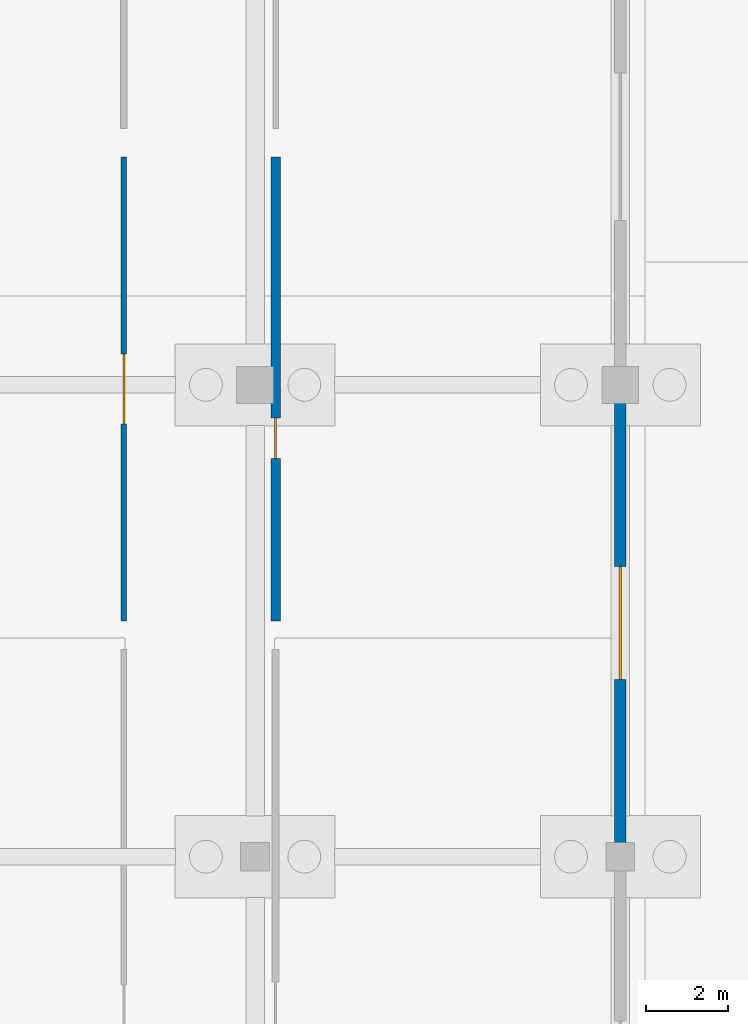
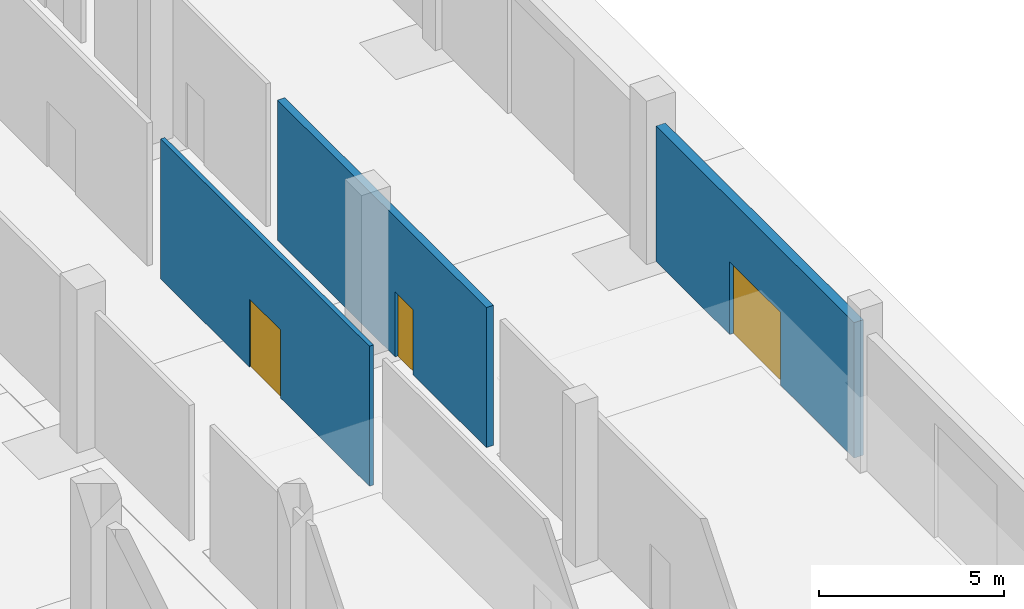
# One storey, part 36 of 68: 3 doors, 3 walls, 3 openings.
"""IFC4 building model written with IfcOpenShell, lengths in metres."""

from ifc_helpers import new_model, si_unit, direction, frame, frame_2d, origin, place, context, subcontext, project, spatial, rectangle, extrude, material, layer, layer_set, type_object, element, fill, save


model = new_model("IFC4")

# Units and contexts
model_context = context("Model", 3, precision=1e-05, world=origin(), true_north=direction((0.0, 1.0)))
body_context = subcontext(model_context, "Body", "Model", "MODEL_VIEW")
ifc_project = project(units=[si_unit("LENGTHUNIT", "METRE"), si_unit("AREAUNIT", "SQUARE_METRE"), si_unit("VOLUMEUNIT", "CUBIC_METRE"), si_unit("PLANEANGLEUNIT", "RADIAN"), si_unit("MASSUNIT", "GRAM", prefix="KILO")], contexts=[model_context])

# Site, building, storey
site_placement = place(None, origin())
site = spatial("IfcSite", under=ifc_project, at=site_placement, CompositionType="ELEMENT")
building_placement = place(site_placement, origin())
building = spatial("IfcBuilding", under=site, at=building_placement, Name="Candeia Ridge Stadium", CompositionType="ELEMENT")
storey_placement = place(building_placement, origin())
storey = spatial("IfcBuildingStorey", under=building, at=storey_placement, Name="L00", CompositionType="ELEMENT", Elevation=0.0)

# Wall, opening, door
ifc_material_1 = material(Name="Moisture-Resistant Masonry & Tile", Category="masonry")
ifc_layer_1 = layer(ifc_material_1, 0.22998046875, Name="Moisture-Resistant Masonry & Tile", Category="masonry")
ifc_layer_set_1 = layer_set([ifc_layer_1], Name="Moisture-Resistant Masonry & Tile")
wall_type_1 = type_object("IfcWallType", Name="Dressing Suite Wet-Wall Chase 230", PredefinedType="PLUMBINGWALL", material=ifc_layer_set_1)
wall_1_placement = place(storey_placement, frame((203.0, 117.75, 0.0), z_axis=(0.0, 0.0, 1.0), x_axis=(0.0, 1.0, 0.0)))
wall_1 = element("IfcWall", 1, at=wall_1_placement, inside=storey, type_object=wall_type_1, Name="Interior partition PT-L00-0040", PredefinedType="PLUMBINGWALL", context=body_context, shape_type="SweptSolid", body=[
    extrude(rectangle(XDim=11.300048828125, YDim=0.22998046875, at=frame_2d((5.64990234375, 0.0))), origin(), (0.0, 0.0, 1.0), 4.625),
])
opening_1_placement = place(wall_1_placement, frame((3.9599609375, 0.0, 0.0)))
opening_1 = element("IfcOpeningElement", 2, at=opening_1_placement, cuts=wall_1, Name="Opening ID12", PredefinedType="OPENING", context=body_context, shape_type="SweptSolid", body=[
    extrude(rectangle(XDim=0.97998046875, YDim=2.14990234375, at=frame_2d((0.489990234375, 1.074951171875))), frame((0.0, 0.125, 0.0), z_axis=(0.0, -1.0, 0.0), x_axis=(1.0, 0.0, 0.0)), (0.0, 0.0, 1.0), 0.25),
])
ifc_material_2 = material(Name="Acoustic Timber Studio Leaf", Category="wood")
door_type_1 = type_object("IfcDoorType", Name="Commentary Booth Acoustic Door 980x2150", OperationType="NOTDEFINED", PredefinedType="DOOR", material=ifc_material_2)
door_1_placement = place(opening_1_placement, origin())
door_1 = element("IfcDoor", 3, at=door_1_placement, inside=storey, type_object=door_type_1, Name="Interior room door D-L00-0022", OperationType="SINGLE_SWING_LEFT", OverallHeight=2.14990234375, OverallWidth=0.97998046875, PredefinedType="DOOR", context=body_context, shape_type="SweptSolid", body=[
    extrude(rectangle(XDim=0.97998046875, YDim=2.14990234375, at=frame_2d((0.489990234375, 1.074951171875))), frame((0.0, 0.02490234375, 0.0), z_axis=(0.0, -1.0, 0.0), x_axis=(1.0, 0.0, 0.0)), (0.0, 0.0, 1.0), 0.050048828125),
])
fill(opening_1, door_1)

ifc_material_3 = material(Name="Concrete C35/45", Category="concrete")
ifc_layer_2 = layer(ifc_material_3, 0.2900390625, Name="Concrete C35/45", Category="concrete")
ifc_layer_set_2 = layer_set([ifc_layer_2], Name="Concrete C35/45")
wall_type_2 = type_object("IfcWallType", Name="Exterior Service & Plant Wall 290", PredefinedType="SOLIDWALL", material=ifc_layer_set_2)
wall_2_placement = place(storey_placement, frame((211.39990234375, 112.337890625, 0.0), z_axis=(0.0, 0.0, 1.0), x_axis=(0.0, 1.0, 0.0)))
wall_2 = element("IfcWall", 4, at=wall_2_placement, inside=storey, type_object=wall_type_2, Name="Exterior facade wall EW-L00-0127", PredefinedType="SOLIDWALL", context=body_context, shape_type="SweptSolid", body=[
    extrude(rectangle(XDim=10.72412109375, YDim=0.2900390625, at=frame_2d((5.362060546875, 0.0))), origin(), (0.0, 0.0, 1.0), 4.47509765625),
])
opening_2_placement = place(wall_2_placement, frame((3.987060546875, 0.0, 0.0)))
opening_2 = element("IfcOpeningElement", 5, at=opening_2_placement, cuts=wall_2, Name="Opening ED01", PredefinedType="OPENING", context=body_context, shape_type="SweptSolid", body=[
    extrude(rectangle(XDim=2.75, YDim=2.39990234375, at=frame_2d((1.375, 1.199951171875))), frame((0.0, 0.155029296875, 0.0), z_axis=(0.0, -1.0, 0.0), x_axis=(1.0, 0.0, 0.0)), (0.0, 0.0, 1.0), 0.31005859375),
])
ifc_material_4 = material(Name="Aluminium Anodized Glazed Door", Category="aluminium")
door_type_2 = type_object("IfcDoorType", Name="Pedestrian Exit Double Door 2750x2400", OperationType="NOTDEFINED", PredefinedType="DOOR", material=ifc_material_4)
door_2_placement = place(opening_2_placement, frame((2.75, 0.0, 0.0), z_axis=(0.0, 0.0, 1.0), x_axis=(-1.0, 0.0, 0.0)))
door_2 = element("IfcDoor", 6, at=door_2_placement, inside=storey, type_object=door_type_2, Name="Pedestrian exit gate G13", OperationType="DOUBLE_DOOR_SINGLE_SWING", OverallHeight=2.39990234375, OverallWidth=2.75, PredefinedType="DOOR", context=body_context, shape_type="SweptSolid", body=[
    extrude(rectangle(XDim=2.75, YDim=2.39990234375, at=frame_2d((1.375, 1.199951171875))), frame((0.0, 0.02490234375, 0.0), z_axis=(0.0, -1.0, 0.0), x_axis=(1.0, 0.0, 0.0)), (0.0, 0.0, 1.0), 0.050048828125),
])
fill(opening_2, door_2)

ifc_material_5 = material(Name="Gypsum Metal-Stud Partition", Category="gypsum")
ifc_layer_3 = layer(ifc_material_5, 0.135009765625, Name="Gypsum Metal-Stud Partition", Category="gypsum")
ifc_layer_set_3 = layer_set([ifc_layer_3], Name="Gypsum Metal-Stud Partition")
wall_type_3 = type_object("IfcWallType", Name="General Room Partition 135", PredefinedType="PARTITIONING", material=ifc_layer_set_3)
wall_3_placement = place(storey_placement, frame((199.300048828125, 129.050048828125, 0.0), z_axis=(0.0, 0.0, 1.0), x_axis=(0.0, -1.0, 0.0)))
wall_3 = element("IfcWall", 7, at=wall_3_placement, inside=storey, type_object=wall_type_3, Name="Interior partition PT-L00-0038", PredefinedType="PARTITIONING", context=body_context, shape_type="SweptSolid", body=[
    extrude(rectangle(XDim=11.300048828125, YDim=0.135009765625, at=frame_2d((5.64990234375, 0.0))), origin(), (0.0, 0.0, 1.0), 4.625),
])
opening_3_placement = place(wall_3_placement, frame((4.800048828125, 0.0, 0.0)))
opening_3 = element("IfcOpeningElement", 8, at=opening_3_placement, cuts=wall_3, Name="Opening ID09", PredefinedType="OPENING", context=body_context, shape_type="SweptSolid", body=[
    extrude(rectangle(XDim=1.699951171875, YDim=2.25, at=frame_2d((0.85009765625, 1.125))), frame((0.0, 0.077392578125, 0.0), z_axis=(0.0, -1.0, 0.0), x_axis=(1.0, 0.0, 0.0)), (0.0, 0.0, 1.0), 0.155029296875),
])
ifc_material_6 = material(Name="Timber Fire-Rated Acoustic", Category="wood")
door_type_3 = type_object("IfcDoorType", Name="Founders Lounge Double Door 1700x2250", OperationType="NOTDEFINED", PredefinedType="DOOR", material=ifc_material_6)
door_3_placement = place(opening_3_placement, origin())
door_3 = element("IfcDoor", 9, at=door_3_placement, inside=storey, type_object=door_type_3, Name="Interior room door D-L00-0021", OperationType="DOUBLE_DOOR_SINGLE_SWING", OverallHeight=2.25, OverallWidth=1.699951171875, PredefinedType="DOOR", context=body_context, shape_type="SweptSolid", body=[
    extrude(rectangle(XDim=1.699951171875, YDim=2.25, at=frame_2d((0.85009765625, 1.125))), frame((0.0, 0.02490234375, 0.0), z_axis=(0.0, -1.0, 0.0), x_axis=(1.0, 0.0, 0.0)), (0.0, 0.0, 1.0), 0.050048828125),
])
fill(opening_3, door_3)

save(model, "model.ifc")
